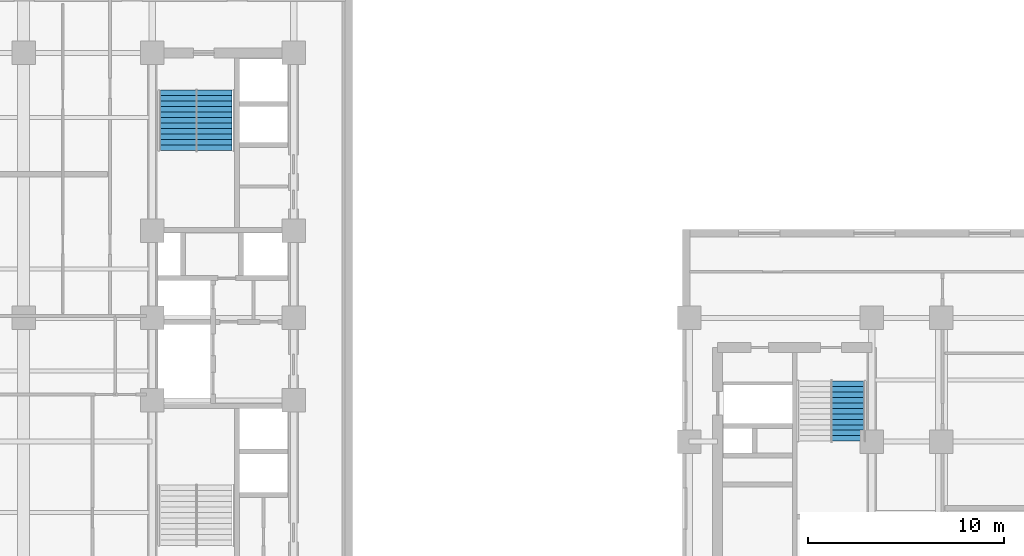
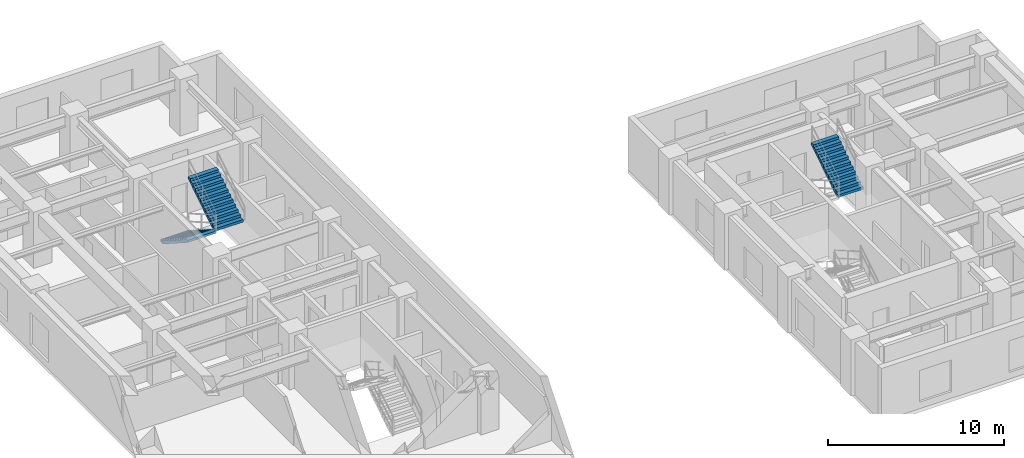
# One storey, part 6 of 9: 3 stair flights, 2 elements without a shape of their own.
"""IFC4 building model written with IfcOpenShell, lengths in metres."""

import ifcopenshell
import ifcopenshell.guid

model = None  # the IFC model being written
_history = None  # IfcOwnerHistory: only IFC2X3 demands one
_inside = {}  # id of a spatial element -> (the spatial element, [elements in it])
_under = {}  # id of a project, library or spatial element -> (it, [spatial elements below it])
_declared = {}  # id of a project -> (the project, [libraries it declares])
_typed = {}  # id of a type object -> (the type object, [elements of that type])
_made_of = {}  # id of a material, layer set ... -> (it, [elements and type objects made of it])


def new_model(schema):
    """Start an empty IFC model of exactly this schema.

    Asked for "IFC4X3", IfcOpenShell would pick the latest addendum, in which some entities
    have other attributes; the version numbers below select the first issue.
    IFC2X3 requires an IfcOwnerHistory on every rooted entity: one is made here for all.
    """
    global model, _history
    if schema == "IFC4X3":
        model = ifcopenshell.file(schema_version=(4, 3, 0, 0))
    else:
        model = ifcopenshell.file(schema=schema)
    _inside.clear()
    _under.clear()
    _declared.clear()
    _typed.clear()
    _made_of.clear()
    _history = None
    if model.schema == "IFC2X3":
        org = make("IfcOrganization", Name="unknown")
        user = make(
            "IfcPersonAndOrganization",
            ThePerson=make("IfcPerson", FamilyName="unknown"),
            TheOrganization=org,
        )
        app = make(
            "IfcApplication",
            ApplicationDeveloper=org,
            Version="unknown",
            ApplicationFullName="unknown",
            ApplicationIdentifier="unknown",
        )
        _history = make(
            "IfcOwnerHistory",
            OwningUser=user,
            OwningApplication=app,
            ChangeAction="ADDED",
            CreationDate=0,
        )
    return model


def make(cls, **values):
    """One entity of the class cls with the attributes given. An attribute that is None is left unset."""
    return model.create_entity(
        cls, **{name: value for name, value in values.items() if value is not None}
    )


def entity(cls, *values):
    """Any entity or typed value of the class cls, its attributes in the order of the schema. None: left unset."""
    e = model.create_entity(cls)
    for i, value in enumerate(values):
        if value is not None:
            e[i] = value
    return e


def rooted(cls, **values):
    """An entity with a GlobalId (a new one), such as an element, a storey or a relation."""
    return make(cls, GlobalId=ifcopenshell.guid.new(), OwnerHistory=_history, **values)


def si_unit(unit_type, name, prefix=None):
    """IfcSIUnit, for example si_unit("LENGTHUNIT", "METRE", prefix="MILLI")."""
    return make("IfcSIUnit", UnitType=unit_type, Prefix=prefix, Name=name)


def converted_unit(unit_type, name, factor, base, dimensions=None, offset=None):
    """IfcConversionBasedUnit, such as the inch: factor (a typed value) times the base unit."""
    return make(
        "IfcConversionBasedUnit"
        if offset is None
        else "IfcConversionBasedUnitWithOffset",
        ConversionOffset=offset,
        Dimensions=None
        if dimensions is None
        else entity("IfcDimensionalExponents", *dimensions),
        UnitType=unit_type,
        Name=name,
        ConversionFactor=make(
            "IfcMeasureWithUnit", ValueComponent=factor, UnitComponent=base
        ),
    )


def assignment(units):
    """IfcUnitAssignment: the units of a project."""
    return None if units is None else make("IfcUnitAssignment", Units=units)


def point(xyz):
    """IfcCartesianPoint."""
    return None if xyz is None else make("IfcCartesianPoint", Coordinates=xyz)


def direction(xyz):
    """IfcDirection."""
    return None if xyz is None else make("IfcDirection", DirectionRatios=xyz)


def frame(location, z_axis=None, x_axis=None):
    """IfcAxis2Placement3D, a coordinate frame: its origin and axes. An axis left out is left unset."""
    return make(
        "IfcAxis2Placement3D",
        Location=point(location),
        Axis=direction(z_axis),
        RefDirection=direction(x_axis),
    )


def origin_with_axes():
    """The frame at (0, 0, 0) with the z axis (0, 0, 1) and the x axis (1, 0, 0) written out."""
    return frame((0.0, 0.0, 0.0), z_axis=(0.0, 0.0, 1.0), x_axis=(1.0, 0.0, 0.0))


def place(relative_to, where):
    """IfcLocalPlacement: puts the frame where relative to a parent placement (None: the world)."""
    return make(
        "IfcLocalPlacement", PlacementRelTo=relative_to, RelativePlacement=where
    )


def context(
    kind, dimensions, precision=None, world=None, true_north=None, identifier=None
):
    """IfcGeometricRepresentationContext, for example the 3D "Model" context."""
    return make(
        "IfcGeometricRepresentationContext",
        ContextIdentifier=identifier,
        ContextType=kind,
        CoordinateSpaceDimension=dimensions,
        Precision=precision,
        WorldCoordinateSystem=world,
        TrueNorth=true_north,
    )


def subcontext(parent, identifier, kind, view, scale=None):
    """IfcGeometricRepresentationSubContext, for example "Body" below "Model"."""
    return make(
        "IfcGeometricRepresentationSubContext",
        ContextIdentifier=identifier,
        ContextType=kind,
        ParentContext=parent,
        TargetScale=scale,
        TargetView=view,
    )


def project(units=None, contexts=None):
    """IfcProject with its units and contexts."""
    return rooted(
        "IfcProject",
        Name="project",
        RepresentationContexts=contexts,
        UnitsInContext=assignment(units),
    )


def spatial(cls, under=None, at=None, **own):
    """A site, building, storey or space (cls), placed at a placement, below another one or the project."""
    s = rooted(cls, ObjectPlacement=at, **own)
    if under is not None:
        _under.setdefault(under.id(), (under, []))[1].append(s)
    return s


def polyline(points):
    """IfcPolyline through the points."""
    return make("IfcPolyline", Points=[point(p) for p in points])


def outline(outer, holes=None, kind="AREA"):
    """IfcArbitraryClosedProfileDef: a profile drawn as a closed curve; with holes, ...WithVoids."""
    if holes is None:
        return make("IfcArbitraryClosedProfileDef", ProfileType=kind, OuterCurve=outer)
    return make(
        "IfcArbitraryProfileDefWithVoids",
        ProfileType=kind,
        OuterCurve=outer,
        InnerCurves=holes,
    )


def extrude(swept, where, along, depth):
    """IfcExtrudedAreaSolid: the profile swept, set in the frame where, extruded along a direction by depth."""
    return make(
        "IfcExtrudedAreaSolid",
        SweptArea=swept,
        Position=where,
        ExtrudedDirection=direction(along),
        Depth=depth,
    )


def shape(context_of_items, identifier, shape_type, items):
    """IfcShapeRepresentation: the items that make up one representation, for example the "Body"."""
    return make(
        "IfcShapeRepresentation",
        ContextOfItems=context_of_items,
        RepresentationIdentifier=identifier,
        RepresentationType=shape_type,
        Items=items,
    )


def material(Name=None, Category=None):
    """IfcMaterial."""
    return make("IfcMaterial", Name=Name, Category=Category)


def made_of(thing, what):
    """Note that an element or type object is made of a material, layer set ...; save() writes the relation."""
    if what is not None:
        _made_of.setdefault(what.id(), (what, []))[1].append(thing)
    return thing


def type_object(cls, material=None, **own):
    """A type object (cls), such as IfcWallType, which elements share."""
    return made_of(rooted(cls, **own), material)


def element(
    cls,
    number,
    at=None,
    inside=None,
    cuts=None,
    type_object=None,
    material=None,
    context=None,
    identifier="Body",
    shape_type=None,
    held_by="IfcProductDefinitionShape",
    body=None,
    shapes=None,
    **own,
):
    """One element of the class cls, such as IfcWall. Its Tag is "e" and its number.

    at: its placement. inside: the storey or other place that contains it. cuts: it is an
    opening in that element (IfcRelVoidsElement). A single representation is given by context,
    identifier, shape_type and body (its items); several are given by shapes. held_by: the class
    of the entity that holds the representations. save() writes the other relations.
    """
    e = rooted(cls, Tag="e%d" % number, ObjectPlacement=at, **own)
    if body is not None:
        shapes = [shape(context, identifier, shape_type, body)]
    if shapes is not None:
        e.Representation = make(held_by, Representations=shapes)
    if inside is not None:
        _inside.setdefault(inside.id(), (inside, []))[1].append(e)
    if cuts is not None:
        rooted(
            "IfcRelVoidsElement", RelatingBuildingElement=cuts, RelatedOpeningElement=e
        )
    if type_object is not None:
        _typed.setdefault(type_object.id(), (type_object, []))[1].append(e)
    return made_of(e, material)


def aggregate(whole, parts):
    """IfcRelAggregates: a whole, such as a stair, and the parts it consists of."""
    return rooted("IfcRelAggregates", RelatingObject=whole, RelatedObjects=parts)


def save(model, path):
    """Write the relations noted so far, then the file.

    IfcRelAggregates (storeys below a building ...), IfcRelContainedInSpatialStructure (elements
    in a storey), IfcRelDefinesByType, IfcRelAssociatesMaterial and IfcRelDeclares: one each for
    every whole, place, type object, material and project.
    """
    for whole, parts in _under.values():
        aggregate(whole, parts)
    for where, things in _inside.values():
        rooted(
            "IfcRelContainedInSpatialStructure",
            RelatedElements=things,
            RelatingStructure=where,
        )
    for kind, things in _typed.values():
        rooted("IfcRelDefinesByType", RelatedObjects=things, RelatingType=kind)
    for what, things in _made_of.values():
        rooted("IfcRelAssociatesMaterial", RelatedObjects=things, RelatingMaterial=what)
    for by, libraries in _declared.values():
        rooted("IfcRelDeclares", RelatingContext=by, RelatedDefinitions=libraries)
    model.write(path)


model = new_model("IFC4")

# Units and contexts
model_context = context("Model", 3, precision=1e-05, world=origin_with_axes(), true_north=direction((0.0, 1.0)))
body_context = subcontext(model_context, "Body", "Model", "MODEL_VIEW")
ifc_project = project(units=[si_unit("LENGTHUNIT", "METRE"), si_unit("AREAUNIT", "SQUARE_METRE"), si_unit("VOLUMEUNIT", "CUBIC_METRE"), converted_unit("PLANEANGLEUNIT", "DEGREE", entity("IfcPlaneAngleMeasure", 0.017453292519943295), si_unit("PLANEANGLEUNIT", "RADIAN"), dimensions=[0, 0, 0, 0, 0, 0, 0]), si_unit("MASSUNIT", "GRAM", prefix="KILO"), si_unit("THERMODYNAMICTEMPERATUREUNIT", "KELVIN")], contexts=[model_context])

# Site, building, storey
site_placement = place(None, origin_with_axes())
site = spatial("IfcSite", under=ifc_project, at=site_placement, CompositionType="ELEMENT")
building_placement = place(site_placement, origin_with_axes())
building = spatial("IfcBuilding", under=site, at=building_placement, Name="Varnlund Millrace Tower", CompositionType="ELEMENT")
storey_placement = place(building_placement, frame((0.0, 0.0, 108.6), z_axis=(0.0, 0.0, 1.0), x_axis=(1.0, 0.0, 0.0)))
storey = spatial("IfcBuildingStorey", under=building, at=storey_placement, Name="L26", CompositionType="ELEMENT", Elevation=108.6)

# Stair, stair flight
ifc_material_1 = material(Name="Concrete C50/60", Category="concrete")
stair_type_1 = type_object("IfcStairType", Name="Type-Stair-Dogleg-165-390", PredefinedType="HALF_TURN_STAIR", material=ifc_material_1)
stair_1_placement = place(storey_placement, origin_with_axes())
stair_1 = element("IfcStair", 1, at=stair_1_placement, inside=storey, type_object=stair_type_1, Name="Type-Stair-Dogleg-165-390", PredefinedType="HALF_TURN_STAIR")
ifc_material_2 = material(Name="Precast concrete C50/60", Category="concrete")
stair_flight_type_1 = type_object("IfcStairFlightType", Name="Type-Dogleg-Run-165-390", PredefinedType="STRAIGHT", material=ifc_material_2)
stair_flight_1_placement = place(storey_placement, frame((45.975, 18.02, 1.95), z_axis=(1.0, 0.0, 0.0), x_axis=(0.0, 1.0, 0.0)))
stair_flight_1 = element("IfcStairFlight", 2, at=stair_flight_1_placement, type_object=stair_flight_type_1, Name="ST-B2 flight 2", NumberOfRisers=11, NumberOfTreads=11, PredefinedType="STRAIGHT", RiserHeight=0.177273, TreadLength=0.28, context=body_context, shape_type="SweptSolid", body=[
    extrude(outline(polyline([(0.0, 0.0), (0.0, 0.177273), (0.28, 0.177273), (0.28, 0.354545), (0.56, 0.354545), (0.56, 0.531818), (0.84, 0.531818), (0.84, 0.709091), (1.12, 0.709091), (1.12, 0.886364), (1.4, 0.886364), (1.4, 1.063636), (1.68, 1.063636), (1.68, 1.240909), (1.96, 1.240909), (1.96, 1.418182), (2.24, 1.418182), (2.24, 1.595454), (2.52, 1.595454), (2.52, 1.772727), (2.8, 1.772727), (2.8, 1.95), (3.08, 1.95), (3.08, 1.8), (0.28, 0.0), (0.0, 0.0)])), origin_with_axes(), (0.0, 0.0, 1.0), 1.65),
])
aggregate(stair_1, [stair_flight_1])

# Stair, stair flights
stair_type_2 = type_object("IfcStairType", Name="Type-Stair-Dogleg-185-390", PredefinedType="HALF_TURN_STAIR", material=ifc_material_1)
stair_2_placement = place(storey_placement, origin_with_axes())
stair_2 = element("IfcStair", 3, at=stair_2_placement, inside=storey, type_object=stair_type_2, Name="Type-Stair-Dogleg-185-390", PredefinedType="HALF_TURN_STAIR")
stair_flight_type_2 = type_object("IfcStairFlightType", Name="Type-Dogleg-Run-185-390", PredefinedType="STRAIGHT", material=ifc_material_2)
stair_flight_2_placement = place(storey_placement, frame((13.675, 35.9, 0.0), z_axis=(-1.0, 0.0, 0.0), x_axis=(0.0, -1.0, 0.0)))
stair_flight_2 = element("IfcStairFlight", 4, at=stair_flight_2_placement, type_object=stair_flight_type_2, Name="ST-A2 flight 1", NumberOfRisers=11, NumberOfTreads=11, PredefinedType="STRAIGHT", RiserHeight=0.177273, TreadLength=0.28, context=body_context, shape_type="SweptSolid", body=[
    extrude(outline(polyline([(0.0, 0.0), (0.0, 0.177273), (0.28, 0.177273), (0.28, 0.354545), (0.56, 0.354545), (0.56, 0.531818), (0.84, 0.531818), (0.84, 0.709091), (1.12, 0.709091), (1.12, 0.886364), (1.4, 0.886364), (1.4, 1.063636), (1.68, 1.063636), (1.68, 1.240909), (1.96, 1.240909), (1.96, 1.418182), (2.24, 1.418182), (2.24, 1.595454), (2.52, 1.595454), (2.52, 1.772727), (2.8, 1.772727), (2.8, 1.95), (3.08, 1.95), (3.08, 1.8), (0.28, 0.0), (0.0, 0.0)])), origin_with_axes(), (0.0, 0.0, 1.0), 1.85),
])
stair_flight_3_placement = place(storey_placement, frame((13.625, 32.82, 1.95), z_axis=(1.0, 0.0, 0.0), x_axis=(0.0, 1.0, 0.0)))
stair_flight_3 = element("IfcStairFlight", 5, at=stair_flight_3_placement, type_object=stair_flight_type_2, Name="ST-A2 flight 2", NumberOfRisers=11, NumberOfTreads=11, PredefinedType="STRAIGHT", RiserHeight=0.177273, TreadLength=0.28, context=body_context, shape_type="SweptSolid", body=[
    extrude(outline(polyline([(0.0, 0.0), (0.0, 0.177273), (0.28, 0.177273), (0.28, 0.354545), (0.56, 0.354545), (0.56, 0.531818), (0.84, 0.531818), (0.84, 0.709091), (1.12, 0.709091), (1.12, 0.886364), (1.4, 0.886364), (1.4, 1.063636), (1.68, 1.063636), (1.68, 1.240909), (1.96, 1.240909), (1.96, 1.418182), (2.24, 1.418182), (2.24, 1.595454), (2.52, 1.595454), (2.52, 1.772727), (2.8, 1.772727), (2.8, 1.95), (3.08, 1.95), (3.08, 1.8), (0.28, 0.0), (0.0, 0.0)])), origin_with_axes(), (0.0, 0.0, 1.0), 1.85),
])
aggregate(stair_2, [stair_flight_2, stair_flight_3])

save(model, "model.ifc")
